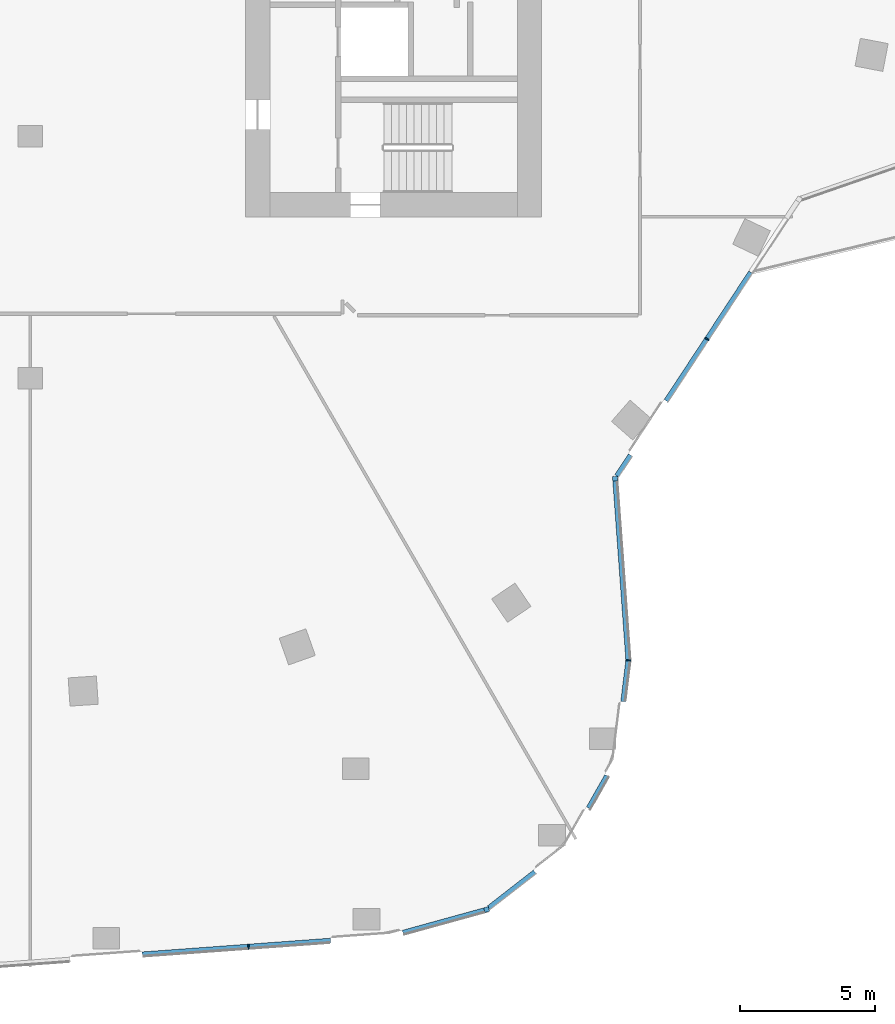
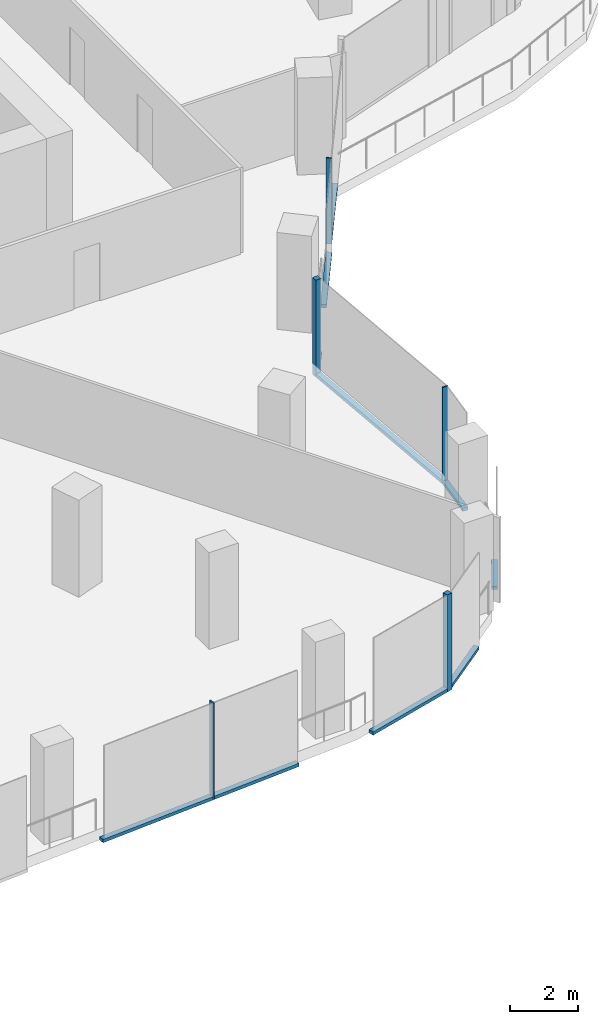
# One storey, part 4 of 26: 14 members, 7 elements without a shape of their own.
"""IFC4 building model written with IfcOpenShell, lengths in metres."""

import ifcopenshell
import ifcopenshell.guid

model = None  # the IFC model being written
_history = None  # IfcOwnerHistory: only IFC2X3 demands one
_inside = {}  # id of a spatial element -> (the spatial element, [elements in it])
_under = {}  # id of a project, library or spatial element -> (it, [spatial elements below it])
_declared = {}  # id of a project -> (the project, [libraries it declares])
_typed = {}  # id of a type object -> (the type object, [elements of that type])
_made_of = {}  # id of a material, layer set ... -> (it, [elements and type objects made of it])


def new_model(schema):
    """Start an empty IFC model of exactly this schema.

    Asked for "IFC4X3", IfcOpenShell would pick the latest addendum, in which some entities
    have other attributes; the version numbers below select the first issue.
    IFC2X3 requires an IfcOwnerHistory on every rooted entity: one is made here for all.
    """
    global model, _history
    if schema == "IFC4X3":
        model = ifcopenshell.file(schema_version=(4, 3, 0, 0))
    else:
        model = ifcopenshell.file(schema=schema)
    _inside.clear()
    _under.clear()
    _declared.clear()
    _typed.clear()
    _made_of.clear()
    _history = None
    if model.schema == "IFC2X3":
        org = make("IfcOrganization", Name="unknown")
        user = make(
            "IfcPersonAndOrganization",
            ThePerson=make("IfcPerson", FamilyName="unknown"),
            TheOrganization=org,
        )
        app = make(
            "IfcApplication",
            ApplicationDeveloper=org,
            Version="unknown",
            ApplicationFullName="unknown",
            ApplicationIdentifier="unknown",
        )
        _history = make(
            "IfcOwnerHistory",
            OwningUser=user,
            OwningApplication=app,
            ChangeAction="ADDED",
            CreationDate=0,
        )
    return model


def make(cls, **values):
    """One entity of the class cls with the attributes given. An attribute that is None is left unset."""
    return model.create_entity(
        cls, **{name: value for name, value in values.items() if value is not None}
    )


def rooted(cls, **values):
    """An entity with a GlobalId (a new one), such as an element, a storey or a relation."""
    return make(cls, GlobalId=ifcopenshell.guid.new(), OwnerHistory=_history, **values)


def si_unit(unit_type, name, prefix=None):
    """IfcSIUnit, for example si_unit("LENGTHUNIT", "METRE", prefix="MILLI")."""
    return make("IfcSIUnit", UnitType=unit_type, Prefix=prefix, Name=name)


def assignment(units):
    """IfcUnitAssignment: the units of a project."""
    return None if units is None else make("IfcUnitAssignment", Units=units)


def point(xyz):
    """IfcCartesianPoint."""
    return None if xyz is None else make("IfcCartesianPoint", Coordinates=xyz)


def direction(xyz):
    """IfcDirection."""
    return None if xyz is None else make("IfcDirection", DirectionRatios=xyz)


def frame(location, z_axis=None, x_axis=None):
    """IfcAxis2Placement3D, a coordinate frame: its origin and axes. An axis left out is left unset."""
    return make(
        "IfcAxis2Placement3D",
        Location=point(location),
        Axis=direction(z_axis),
        RefDirection=direction(x_axis),
    )


def frame_2d(location, x_axis=None):
    """IfcAxis2Placement2D, a coordinate frame in the plane: its origin and x axis."""
    return make(
        "IfcAxis2Placement2D", Location=point(location), RefDirection=direction(x_axis)
    )


def origin():
    """The frame at (0, 0, 0) with its axes left unset."""
    return frame((0.0, 0.0, 0.0))


def origin_2d():
    """The frame at (0, 0) in the plane with its x axis left unset."""
    return frame_2d((0.0, 0.0))


def place(relative_to, where):
    """IfcLocalPlacement: puts the frame where relative to a parent placement (None: the world)."""
    return make(
        "IfcLocalPlacement", PlacementRelTo=relative_to, RelativePlacement=where
    )


def context(
    kind, dimensions, precision=None, world=None, true_north=None, identifier=None
):
    """IfcGeometricRepresentationContext, for example the 3D "Model" context."""
    return make(
        "IfcGeometricRepresentationContext",
        ContextIdentifier=identifier,
        ContextType=kind,
        CoordinateSpaceDimension=dimensions,
        Precision=precision,
        WorldCoordinateSystem=world,
        TrueNorth=true_north,
    )


def subcontext(parent, identifier, kind, view, scale=None):
    """IfcGeometricRepresentationSubContext, for example "Body" below "Model"."""
    return make(
        "IfcGeometricRepresentationSubContext",
        ContextIdentifier=identifier,
        ContextType=kind,
        ParentContext=parent,
        TargetScale=scale,
        TargetView=view,
    )


def project(units=None, contexts=None):
    """IfcProject with its units and contexts."""
    return rooted(
        "IfcProject",
        Name="project",
        RepresentationContexts=contexts,
        UnitsInContext=assignment(units),
    )


def spatial(cls, under=None, at=None, **own):
    """A site, building, storey or space (cls), placed at a placement, below another one or the project."""
    s = rooted(cls, ObjectPlacement=at, **own)
    if under is not None:
        _under.setdefault(under.id(), (under, []))[1].append(s)
    return s


def profile(cls, at=None, kind="AREA", **sizes):
    """A parametric profile (cls). Its sizes go by their IFC names, for example OverallWidth=200.0."""
    return make(cls, ProfileType=kind, Position=at, **sizes)


def rectangle(**sizes):
    """IfcRectangleProfileDef."""
    return profile("IfcRectangleProfileDef", **sizes)


def extrude(swept, where, along, depth):
    """IfcExtrudedAreaSolid: the profile swept, set in the frame where, extruded along a direction by depth."""
    return make(
        "IfcExtrudedAreaSolid",
        SweptArea=swept,
        Position=where,
        ExtrudedDirection=direction(along),
        Depth=depth,
    )


def shape(context_of_items, identifier, shape_type, items):
    """IfcShapeRepresentation: the items that make up one representation, for example the "Body"."""
    return make(
        "IfcShapeRepresentation",
        ContextOfItems=context_of_items,
        RepresentationIdentifier=identifier,
        RepresentationType=shape_type,
        Items=items,
    )


def material(Name=None, Category=None):
    """IfcMaterial."""
    return make("IfcMaterial", Name=Name, Category=Category)


def material_profile(
    of_material, cross_section, Name=None, Category=None, Priority=None
):
    """IfcMaterialProfile: a cross section and its material."""
    return make(
        "IfcMaterialProfile",
        Name=Name,
        Material=of_material,
        Profile=cross_section,
        Priority=Priority,
        Category=Category,
    )


def profile_set(profiles, Name=None, composite=None):
    """IfcMaterialProfileSet."""
    return make(
        "IfcMaterialProfileSet",
        Name=Name,
        MaterialProfiles=profiles,
        CompositeProfile=composite,
    )


def made_of(thing, what):
    """Note that an element or type object is made of a material, layer set ...; save() writes the relation."""
    if what is not None:
        _made_of.setdefault(what.id(), (what, []))[1].append(thing)
    return thing


def type_object(cls, material=None, **own):
    """A type object (cls), such as IfcWallType, which elements share."""
    return made_of(rooted(cls, **own), material)


def element(
    cls,
    number,
    at=None,
    inside=None,
    cuts=None,
    type_object=None,
    material=None,
    context=None,
    identifier="Body",
    shape_type=None,
    held_by="IfcProductDefinitionShape",
    body=None,
    shapes=None,
    **own,
):
    """One element of the class cls, such as IfcWall. Its Tag is "e" and its number.

    at: its placement. inside: the storey or other place that contains it. cuts: it is an
    opening in that element (IfcRelVoidsElement). A single representation is given by context,
    identifier, shape_type and body (its items); several are given by shapes. held_by: the class
    of the entity that holds the representations. save() writes the other relations.
    """
    e = rooted(cls, Tag="e%d" % number, ObjectPlacement=at, **own)
    if body is not None:
        shapes = [shape(context, identifier, shape_type, body)]
    if shapes is not None:
        e.Representation = make(held_by, Representations=shapes)
    if inside is not None:
        _inside.setdefault(inside.id(), (inside, []))[1].append(e)
    if cuts is not None:
        rooted(
            "IfcRelVoidsElement", RelatingBuildingElement=cuts, RelatedOpeningElement=e
        )
    if type_object is not None:
        _typed.setdefault(type_object.id(), (type_object, []))[1].append(e)
    return made_of(e, material)


def aggregate(whole, parts):
    """IfcRelAggregates: a whole, such as a stair, and the parts it consists of."""
    return rooted("IfcRelAggregates", RelatingObject=whole, RelatedObjects=parts)


def save(model, path):
    """Write the relations noted so far, then the file.

    IfcRelAggregates (storeys below a building ...), IfcRelContainedInSpatialStructure (elements
    in a storey), IfcRelDefinesByType, IfcRelAssociatesMaterial and IfcRelDeclares: one each for
    every whole, place, type object, material and project.
    """
    for whole, parts in _under.values():
        aggregate(whole, parts)
    for where, things in _inside.values():
        rooted(
            "IfcRelContainedInSpatialStructure",
            RelatedElements=things,
            RelatingStructure=where,
        )
    for kind, things in _typed.values():
        rooted("IfcRelDefinesByType", RelatedObjects=things, RelatingType=kind)
    for what, things in _made_of.values():
        rooted("IfcRelAssociatesMaterial", RelatedObjects=things, RelatingMaterial=what)
    for by, libraries in _declared.values():
        rooted("IfcRelDeclares", RelatingContext=by, RelatedDefinitions=libraries)
    model.write(path)


model = new_model("IFC4")

# Units and contexts
model_context = context("Model", 3, precision=1e-05, world=origin(), true_north=direction((0.0, 1.0)))
body_context = subcontext(model_context, "Body", "Model", "MODEL_VIEW")
ifc_project = project(units=[si_unit("LENGTHUNIT", "METRE"), si_unit("AREAUNIT", "SQUARE_METRE"), si_unit("VOLUMEUNIT", "CUBIC_METRE"), si_unit("PLANEANGLEUNIT", "RADIAN"), si_unit("MASSUNIT", "GRAM", prefix="KILO")], contexts=[model_context])

# Site, building, storey
site_placement = place(None, origin())
site = spatial("IfcSite", under=ifc_project, at=site_placement, CompositionType="ELEMENT")
building_placement = place(site_placement, origin())
building = spatial("IfcBuilding", under=site, at=building_placement, Name="Orlundy Tower", CompositionType="ELEMENT")
storey_placement = place(building_placement, frame((0.0, 0.0, 232.0)))
storey = spatial("IfcBuildingStorey", under=building, at=storey_placement, Name="L61", CompositionType="ELEMENT", Elevation=232.0)

# Curtain wall, member
ifc_material_1 = material(Name="Aluminium bronze anodised", Category="aluminium")
curtain_wall_type = type_object("IfcCurtainWallType", Name="CW1 wall", PredefinedType="NOTDEFINED", material=ifc_material_1)
curtain_wall_1_placement = place(storey_placement, origin())
curtain_wall_1 = element("IfcCurtainWall", 1, at=curtain_wall_1_placement, inside=storey, type_object=curtain_wall_type, Name="CW1 run 02", PredefinedType="NOTDEFINED")
ifc_material_2 = material(Name="Aluminium bronze anodised", Category="aluminium")
ifc_material_profile_1 = material_profile(ifc_material_2, rectangle(XDim=0.179931640625, YDim=0.179931640625, at=origin_2d()), Name="CW1 corner post 180x180")
ifc_profile_set_1 = profile_set([ifc_material_profile_1], Name="Aluminium bronze anodised")
member_type_1 = type_object("IfcMemberType", Name="CW1 corner post 180x180", PredefinedType="MULLION", material=ifc_profile_set_1)
member_1_placement = place(storey_placement, frame((21.72607421875, -21.724853515625, -0.39990234375), z_axis=(0.0, 0.0, 1.0), x_axis=(0.997356697467, 0.072660980026, 0.0)))
member_1 = element("IfcMember", 2, at=member_1_placement, type_object=member_type_1, Name="CW1 mullion 5", PredefinedType="MULLION", context=body_context, shape_type="SweptSolid", body=[
    extrude(rectangle(XDim=0.179931640625, YDim=0.179931640625, at=origin_2d()), origin(), (0.0, 0.0, 1.0), 3.5),
])

curtain_wall_2_placement = place(storey_placement, origin())
curtain_wall_2 = element("IfcCurtainWall", 3, at=curtain_wall_2_placement, inside=storey, type_object=curtain_wall_type, Name="CW1 run 06", PredefinedType="NOTDEFINED")
member_2_placement = place(storey_placement, frame((16.957275390625, -37.72900390625, -0.39990234375), z_axis=(0.0, 0.0, 1.0), x_axis=(0.265946284152, -0.96398784948, 0.0)))
member_2 = element("IfcMember", 4, at=member_2_placement, type_object=member_type_1, Name="CW1 mullion 9", PredefinedType="MULLION", context=body_context, shape_type="SweptSolid", body=[
    extrude(rectangle(XDim=0.179931640625, YDim=0.179931640625, at=origin_2d()), origin(), (0.0, 0.0, 1.0), 3.5),
])

curtain_wall_3_placement = place(storey_placement, origin())
curtain_wall_3 = element("IfcCurtainWall", 5, at=curtain_wall_3_placement, inside=storey, type_object=curtain_wall_type, Name="CW1 run 01", PredefinedType="NOTDEFINED")
ifc_material_3 = material(Name="Aluminium bronze anodised", Category="aluminium")
ifc_material_profile_2 = material_profile(ifc_material_3, rectangle(XDim=0.179931640625, YDim=0.050048828125, at=origin_2d()), Name="CW1 mullion 50x180")
ifc_profile_set_2 = profile_set([ifc_material_profile_2], Name="Aluminium bronze anodised")
member_type_2 = type_object("IfcMemberType", Name="CW1 mullion 50x180", PredefinedType="MULLION", material=ifc_profile_set_2)
member_3_placement = place(storey_placement, frame((25.1396484375, -16.534423828125, 0.0), z_axis=(0.0, 0.0, 1.0), x_axis=(0.835496427827, -0.549495877226, 0.0)))
member_3 = element("IfcMember", 6, at=member_3_placement, type_object=member_type_2, Name="CW1 mullion 4", PredefinedType="MULLION", context=body_context, shape_type="SweptSolid", body=[
    extrude(rectangle(XDim=0.179931640625, YDim=0.050048828125, at=origin_2d()), origin(), (0.0, 0.0, 1.0), 3.10009765625),
])

curtain_wall_4_placement = place(storey_placement, origin())
curtain_wall_4 = element("IfcCurtainWall", 7, at=curtain_wall_4_placement, inside=storey, type_object=curtain_wall_type, Name="CW1 run 03", PredefinedType="NOTDEFINED")
member_4_placement = place(storey_placement, frame((22.21728515625, -28.47021484375, -0.39990234375), z_axis=(0.0, 0.0, 1.0), x_axis=(0.999676246747, -0.025444089483, 0.0)))
member_4 = element("IfcMember", 8, at=member_4_placement, type_object=member_type_2, Name="CW1 mullion 6", PredefinedType="MULLION", context=body_context, shape_type="SweptSolid", body=[
    extrude(rectangle(XDim=0.179931640625, YDim=0.050048828125, at=origin_2d()), origin(), (0.0, 0.0, 1.0), 3.5),
])

curtain_wall_5_placement = place(storey_placement, origin())
curtain_wall_5 = element("IfcCurtainWall", 9, at=curtain_wall_5_placement, inside=storey, type_object=curtain_wall_type, Name="CW1 run 07", PredefinedType="NOTDEFINED")
member_5_placement = place(storey_placement, frame((8.112548828125, -39.104248046875, -0.39990234375), z_axis=(0.0, 0.0, 1.0), x_axis=(0.072668329988, -0.997356161969, 0.0)))
member_5 = element("IfcMember", 10, at=member_5_placement, type_object=member_type_2, Name="CW1 mullion 11", PredefinedType="MULLION", context=body_context, shape_type="SweptSolid", body=[
    extrude(rectangle(XDim=0.179931640625, YDim=0.050048828125, at=origin_2d()), origin(), (0.0, 0.0, 1.0), 3.5),
])

# Member
ifc_material_4 = material(Name="Aluminium bronze anodised", Category="aluminium")
ifc_material_profile_3 = material_profile(ifc_material_4, rectangle(XDim=0.179931640625, YDim=0.1201171875, at=origin_2d()), Name="CW1 transom 180x120")
ifc_profile_set_3 = profile_set([ifc_material_profile_3], Name="Aluminium bronze anodised")
member_type_3 = type_object("IfcMemberType", Name="CW1 transom 180x120", PredefinedType="USERDEFINED", material=ifc_profile_set_3)
member_6_placement = place(storey_placement, frame((26.767333984375, -14.059814453125, 0.06005859375), z_axis=(-0.54952947795, -0.83547432807, 0.0), x_axis=(0.83547432807, -0.54952947795, 0.0)))
member_6 = element("IfcMember", 11, at=member_6_placement, type_object=member_type_3, Name="CW1 transom", ObjectType="TRANSOM", PredefinedType="USERDEFINED", context=body_context, shape_type="SweptSolid", body=[
    extrude(rectangle(XDim=0.179931640625, YDim=0.1201171875, at=origin_2d()), origin(), (0.0, 0.0, 1.0), 2.93701171875),
])

member_7_placement = place(storey_placement, frame((25.1259765625, -16.555419921875, -0.340087890625), z_axis=(-0.549519389543, -0.835480963587, 0.0), x_axis=(0.835480963587, -0.549519389543, 0.0)))
member_7 = element("IfcMember", 12, at=member_7_placement, type_object=member_type_3, Name="CW1 transom", ObjectType="TRANSOM", PredefinedType="USERDEFINED", context=body_context, shape_type="SweptSolid", body=[
    extrude(rectangle(XDim=0.179931640625, YDim=0.1201171875, at=origin_2d()), origin(), (0.0, 0.0, 1.0), 2.724365234375),
])

member_8_placement = place(storey_placement, frame((22.300537109375, -20.851318359375, -0.340087890625), z_axis=(-0.54949142568, -0.835499355538, 0.0), x_axis=(0.835499355538, -0.54949142568, 0.0)))
member_8 = element("IfcMember", 13, at=member_8_placement, type_object=member_type_3, Name="CW1 transom", ObjectType="TRANSOM", PredefinedType="USERDEFINED", context=body_context, shape_type="SweptSolid", body=[
    extrude(rectangle(XDim=0.179931640625, YDim=0.1201171875, at=origin_2d()), origin(), (0.0, 0.0, 1.0), 0.93212890625),
])

aggregate(curtain_wall_3, [member_3, member_6, member_7, member_8])

member_9_placement = place(storey_placement, frame((21.732421875, -21.814697265625, -0.340087890625), z_axis=(0.072674507667, -0.997355711838, 0.0), x_axis=(0.997355711838, 0.072674507667, 0.0)))
member_9 = element("IfcMember", 14, at=member_9_placement, type_object=member_type_3, Name="CW1 transom", ObjectType="TRANSOM", PredefinedType="USERDEFINED", context=body_context, shape_type="SweptSolid", body=[
    extrude(rectangle(XDim=0.179931640625, YDim=0.1201171875, at=origin_2d()), origin(), (0.0, 0.0, 1.0), 6.648193359375),
])

aggregate(curtain_wall_1, [member_1, member_9])

member_10_placement = place(storey_placement, frame((22.21435546875, -28.4951171875, -0.340087890625), z_axis=(-0.123361666776, -0.99236177837, 0.0), x_axis=(0.99236177837, -0.123361666776, 0.0)))
member_10 = element("IfcMember", 15, at=member_10_placement, type_object=member_type_3, Name="CW1 transom", ObjectType="TRANSOM", PredefinedType="USERDEFINED", context=body_context, shape_type="SweptSolid", body=[
    extrude(rectangle(XDim=0.179931640625, YDim=0.1201171875, at=origin_2d()), origin(), (0.0, 0.0, 1.0), 1.517822265625),
])

aggregate(curtain_wall_4, [member_4, member_10])

# Curtain wall, member
curtain_wall_6_placement = place(storey_placement, origin())
curtain_wall_6 = element("IfcCurtainWall", 16, at=curtain_wall_6_placement, inside=storey, type_object=curtain_wall_type, Name="CW1 run 04", PredefinedType="NOTDEFINED")
member_11_placement = place(storey_placement, frame((21.42578125, -32.758544921875, -0.340087890625), z_axis=(-0.493793574698, -0.869579154296, 0.0), x_axis=(0.869579154296, -0.493793574698, 0.0)))
member_11 = element("IfcMember", 17, at=member_11_placement, type_object=member_type_3, Name="CW1 transom", ObjectType="TRANSOM", PredefinedType="USERDEFINED", context=body_context, shape_type="SweptSolid", body=[
    extrude(rectangle(XDim=0.179931640625, YDim=0.1201171875, at=origin_2d()), origin(), (0.0, 0.0, 1.0), 1.3798828125),
])
aggregate(curtain_wall_6, [member_11])

curtain_wall_7_placement = place(storey_placement, origin())
curtain_wall_7 = element("IfcCurtainWall", 18, at=curtain_wall_7_placement, inside=storey, type_object=curtain_wall_type, Name="CW1 run 05", PredefinedType="NOTDEFINED")
member_12_placement = place(storey_placement, frame((18.74609375, -36.33544921875, -0.340087890625), z_axis=(-0.788891652206, -0.614532310851, 0.0), x_axis=(0.614532310851, -0.788891652206, 0.0)))
member_12 = element("IfcMember", 19, at=member_12_placement, type_object=member_type_3, Name="CW1 transom", ObjectType="TRANSOM", PredefinedType="USERDEFINED", context=body_context, shape_type="SweptSolid", body=[
    extrude(rectangle(XDim=0.179931640625, YDim=0.1201171875, at=origin_2d()), origin(), (0.0, 0.0, 1.0), 2.17041015625),
])
aggregate(curtain_wall_7, [member_12])

# Member
member_13_placement = place(storey_placement, frame((16.870361328125, -37.7529296875, -0.340087890625), z_axis=(-0.963981605171, -0.265968917153, 0.0), x_axis=(0.265968917153, -0.963981605171, 0.0)))
member_13 = element("IfcMember", 20, at=member_13_placement, type_object=member_type_3, Name="CW1 transom", ObjectType="TRANSOM", PredefinedType="USERDEFINED", context=body_context, shape_type="SweptSolid", body=[
    extrude(rectangle(XDim=0.179931640625, YDim=0.1201171875, at=origin_2d()), origin(), (0.0, 0.0, 1.0), 3.1357421875),
])

aggregate(curtain_wall_2, [member_2, member_13])

member_14_placement = place(storey_placement, frame((11.154296875, -38.882568359375, -0.340087890625), z_axis=(-0.997355449617, -0.072678106194, 0.0), x_axis=(0.072678106194, -0.997355449617, 0.0)))
member_14 = element("IfcMember", 21, at=member_14_placement, type_object=member_type_3, Name="CW1 transom", ObjectType="TRANSOM", PredefinedType="USERDEFINED", context=body_context, shape_type="SweptSolid", body=[
    extrude(rectangle(XDim=0.179931640625, YDim=0.1201171875, at=origin_2d()), origin(), (0.0, 0.0, 1.0), 7.00732421875),
])

aggregate(curtain_wall_5, [member_5, member_14])

save(model, "model.ifc")
